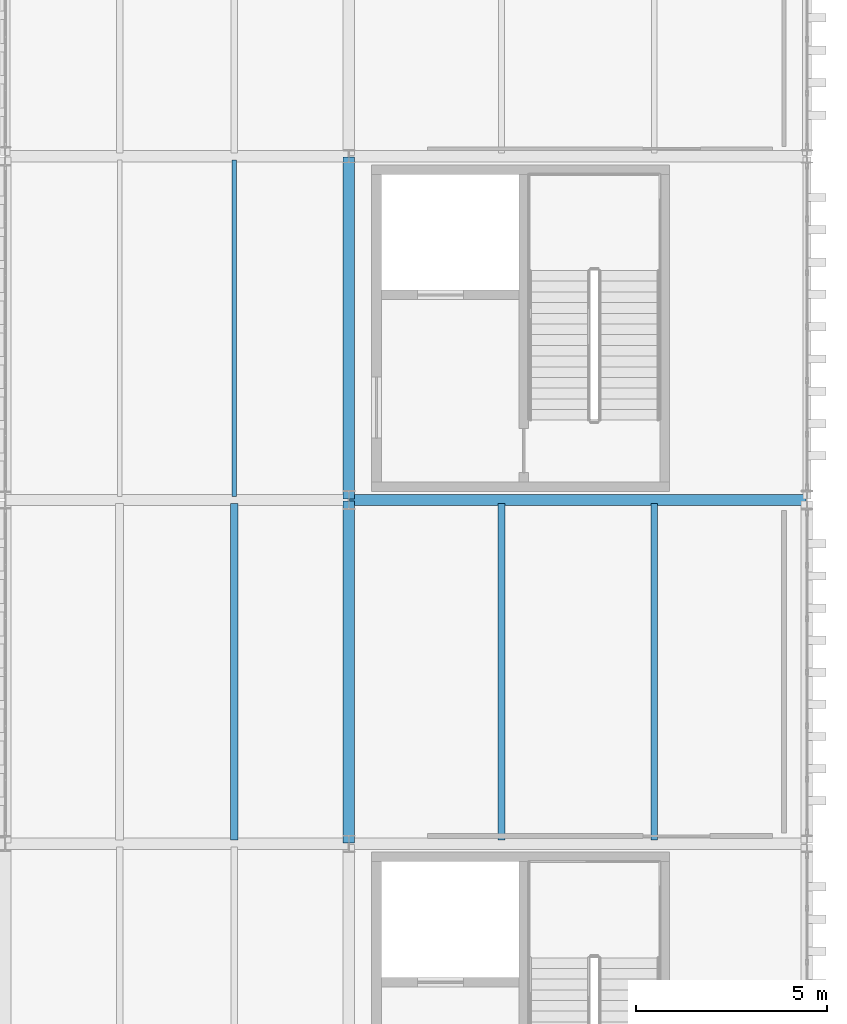
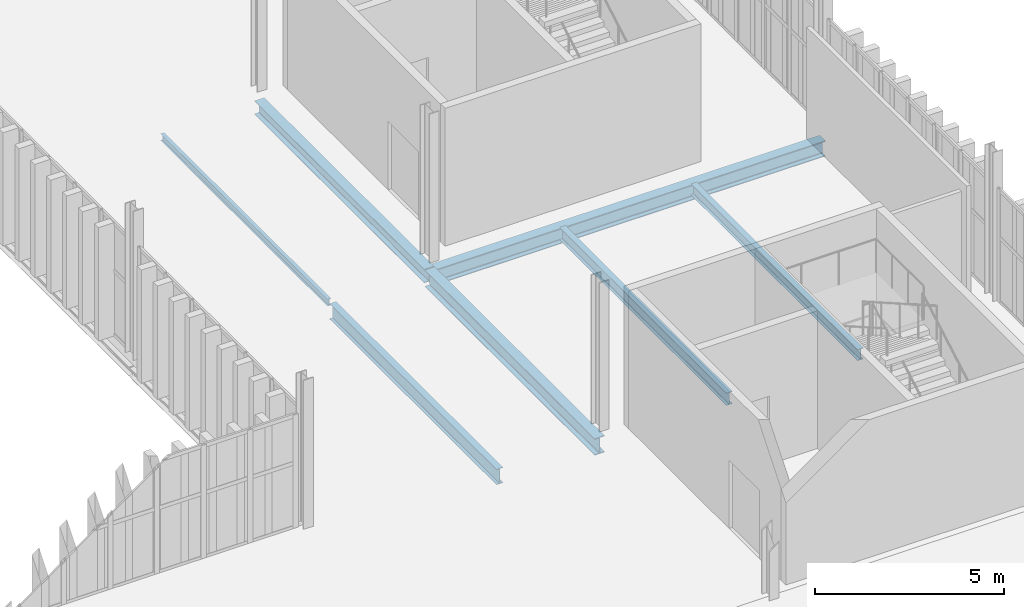
# One storey, part 140 of 196: 7 beams.
"""IFC4 building model written with IfcOpenShell, lengths in metres."""

from ifc_helpers import new_model, si_unit, direction, frame, origin, origin_2d, place, context, subcontext, project, spatial, i_section, extrude, material, material_profile, profile_set, type_object, element, save


model = new_model("IFC4")

# Units and contexts
model_context = context("Model", 3, precision=1e-05, world=origin(), true_north=direction((0.0, 1.0)))
body_context = subcontext(model_context, "Body", "Model", "MODEL_VIEW")
ifc_project = project(units=[si_unit("LENGTHUNIT", "METRE"), si_unit("AREAUNIT", "SQUARE_METRE"), si_unit("VOLUMEUNIT", "CUBIC_METRE"), si_unit("PLANEANGLEUNIT", "RADIAN"), si_unit("MASSUNIT", "GRAM", prefix="KILO")], contexts=[model_context])

# Site, building, storey
site_placement = place(None, origin())
site = spatial("IfcSite", under=ifc_project, at=site_placement, CompositionType="ELEMENT")
building_placement = place(site_placement, origin())
building = spatial("IfcBuilding", under=site, at=building_placement, Name="Barlavento Convention Centre", CompositionType="ELEMENT")
storey_placement = place(building_placement, frame((0.0, 0.0, 18.0)))
storey = spatial("IfcBuildingStorey", under=building, at=storey_placement, Name="L03", CompositionType="ELEMENT", Elevation=18.0)

# Beams
ifc_material = material(Name="Steel S355", Category="steel")
ifc_material_profile_1 = material_profile(ifc_material, i_section(OverallWidth=0.110107421875, OverallDepth=0.219970703125, WebThickness=0.005859375, FlangeThickness=0.00927734375, FilletRadius=0.011962890625, at=origin_2d()), Name="IPE 220")
ifc_profile_set_1 = profile_set([ifc_material_profile_1], Name="Steel S355")
beam_type_1 = type_object("IfcBeamType", Name="STR-BM-JST-IPE220", PredefinedType="JOIST", material=ifc_profile_set_1)
beam_1_placement = place(storey_placement, frame((177.0, 72.094970703125, -0.469970703125), z_axis=(0.0, 1.0, 0.0), x_axis=(-1.0, 0.0, 0.0)))
element("IfcBeam", 1, at=beam_1_placement, inside=storey, type_object=beam_type_1, Name="L03 composite floor joist SJ10", PredefinedType="JOIST", context=body_context, shape_type="SweptSolid", body=[
    extrude(i_section(OverallWidth=0.110107421875, OverallDepth=0.219970703125, WebThickness=0.005859375, FlangeThickness=0.00927734375, FilletRadius=0.011962890625, at=origin_2d()), origin(), (0.0, 0.0, 1.0), 8.81005859375),
])
ifc_material_profile_2 = material_profile(ifc_material, i_section(OverallWidth=0.169921875, OverallDepth=0.360107421875, WebThickness=0.008056640625, FlangeThickness=0.0126953125, FilletRadius=0.01806640625, at=origin_2d()), Name="IPE 360")
ifc_profile_set_2 = profile_set([ifc_material_profile_2], Name="Steel S355")
beam_type_2 = type_object("IfcBeamType", Name="STR-BM-JST-IPE360", PredefinedType="JOIST", material=ifc_profile_set_2)
beam_2_placement = place(storey_placement, frame((188.0, 63.094970703125, -0.5400390625), z_axis=(0.0, 1.0, 0.0), x_axis=(-1.0, 0.0, 0.0)))
element("IfcBeam", 2, at=beam_2_placement, inside=storey, type_object=beam_type_2, Name="L03 composite floor joist SJ05", PredefinedType="JOIST", context=body_context, shape_type="SweptSolid", body=[
    extrude(i_section(OverallWidth=0.169921875, OverallDepth=0.360107421875, WebThickness=0.008056640625, FlangeThickness=0.0126953125, FilletRadius=0.01806640625, at=origin_2d()), origin(), (0.0, 0.0, 1.0), 8.81005859375),
])
ifc_material_profile_3 = material_profile(ifc_material, i_section(OverallWidth=0.179931640625, OverallDepth=0.39990234375, WebThickness=0.008544921875, FlangeThickness=0.013427734375, FilletRadius=0.02099609375, at=origin_2d()), Name="IPE 400")
ifc_profile_set_3 = profile_set([ifc_material_profile_3], Name="Steel S355")
beam_type_3 = type_object("IfcBeamType", Name="STR-BM-JST-IPE400", PredefinedType="JOIST", material=ifc_profile_set_3)
beam_3_placement = place(storey_placement, frame((184.0, 63.094970703125, -0.56005859375), z_axis=(0.0, 1.0, 0.0), x_axis=(-1.0, 0.0, 0.0)))
element("IfcBeam", 3, at=beam_3_placement, inside=storey, type_object=beam_type_3, Name="L03 composite floor joist SJ04", PredefinedType="JOIST", context=body_context, shape_type="SweptSolid", body=[
    extrude(i_section(OverallWidth=0.179931640625, OverallDepth=0.39990234375, WebThickness=0.008544921875, FlangeThickness=0.013427734375, FilletRadius=0.02099609375, at=origin_2d()), origin(), (0.0, 0.0, 1.0), 8.81005859375),
])
ifc_material_profile_4 = material_profile(ifc_material, i_section(OverallWidth=0.199951171875, OverallDepth=0.5, WebThickness=0.01025390625, FlangeThickness=0.01611328125, FilletRadius=0.02099609375, at=origin_2d()), Name="IPE 500")
ifc_profile_set_4 = profile_set([ifc_material_profile_4], Name="Steel S355")
beam_type_4 = type_object("IfcBeamType", Name="STR-BM-JST-IPE500", PredefinedType="JOIST", material=ifc_profile_set_4)
beam_4_placement = place(storey_placement, frame((177.0, 63.094970703125, -0.610107421875), z_axis=(0.0, 1.0, 0.0), x_axis=(-1.0, 0.0, 0.0)))
element("IfcBeam", 4, at=beam_4_placement, inside=storey, type_object=beam_type_4, Name="L03 composite floor joist SJ02", PredefinedType="JOIST", context=body_context, shape_type="SweptSolid", body=[
    extrude(i_section(OverallWidth=0.199951171875, OverallDepth=0.5, WebThickness=0.01025390625, FlangeThickness=0.01611328125, FilletRadius=0.02099609375, at=origin_2d()), origin(), (0.0, 0.0, 1.0), 8.81005859375),
])
ifc_material_profile_5 = material_profile(ifc_material, i_section(OverallWidth=0.300048828125, OverallDepth=0.43994140625, WebThickness=0.011474609375, FlangeThickness=0.02099609375, FilletRadius=0.027099609375, at=origin_2d()), Name="HEA 450")
ifc_profile_set_5 = profile_set([ifc_material_profile_5], Name="Steel S355")
beam_type_5 = type_object("IfcBeamType", Name="STR-BM-PRI-HEA450", PredefinedType="BEAM", material=ifc_profile_set_5)
beam_5_placement = place(storey_placement, frame((180.0, 72.02001953125, -0.580078125), z_axis=(0.0, 1.0, 0.0), x_axis=(-1.0, 0.0, 0.0)))
element("IfcBeam", 5, at=beam_5_placement, inside=storey, type_object=beam_type_5, Name="L03 grid girder BG21", PredefinedType="BEAM", context=body_context, shape_type="SweptSolid", body=[
    extrude(i_section(OverallWidth=0.300048828125, OverallDepth=0.43994140625, WebThickness=0.011474609375, FlangeThickness=0.02099609375, FilletRadius=0.027099609375, at=origin_2d()), origin(), (0.0, 0.0, 1.0), 8.9599609375),
])
ifc_material_profile_6 = material_profile(ifc_material, i_section(OverallWidth=0.300048828125, OverallDepth=0.5400390625, WebThickness=0.012451171875, FlangeThickness=0.02392578125, FilletRadius=0.027099609375, at=origin_2d()), Name="HEA 550")
ifc_profile_set_6 = profile_set([ifc_material_profile_6], Name="Steel S355")
beam_type_6 = type_object("IfcBeamType", Name="STR-BM-PRI-HEA550", PredefinedType="BEAM", material=ifc_profile_set_6)
beam_6_placement = place(storey_placement, frame((180.0, 63.02001953125, -0.6298828125), z_axis=(0.0, 1.0, 0.0), x_axis=(-1.0, 0.0, 0.0)))
element("IfcBeam", 6, at=beam_6_placement, inside=storey, type_object=beam_type_6, Name="L03 grid girder BG19", PredefinedType="BEAM", context=body_context, shape_type="SweptSolid", body=[
    extrude(i_section(OverallWidth=0.300048828125, OverallDepth=0.5400390625, WebThickness=0.012451171875, FlangeThickness=0.02392578125, FilletRadius=0.027099609375, at=origin_2d()), origin(), (0.0, 0.0, 1.0), 8.9599609375),
])
ifc_material_profile_7 = material_profile(ifc_material, i_section(OverallWidth=0.300048828125, OverallDepth=0.5, WebThickness=0.014404296875, FlangeThickness=0.028076171875, FilletRadius=0.027099609375, at=origin_2d()), Name="HEB 500")
ifc_profile_set_7 = profile_set([ifc_material_profile_7], Name="Steel S355")
beam_type_7 = type_object("IfcBeamType", Name="STR-BM-PRI-HEB500", PredefinedType="BEAM", material=ifc_profile_set_7)
beam_7_placement = place(storey_placement, frame((180.02001953125, 72.0, -0.610107421875), z_axis=(1.0, 0.0, 0.0), x_axis=(0.0, 1.0, 0.0)))
element("IfcBeam", 7, at=beam_7_placement, inside=storey, type_object=beam_type_7, Name="L03 primary girder BG09", PredefinedType="BEAM", context=body_context, shape_type="SweptSolid", body=[
    extrude(i_section(OverallWidth=0.300048828125, OverallDepth=0.5, WebThickness=0.014404296875, FlangeThickness=0.028076171875, FilletRadius=0.027099609375, at=origin_2d()), origin(), (0.0, 0.0, 1.0), 11.9599609375),
])

save(model, "model.ifc")
